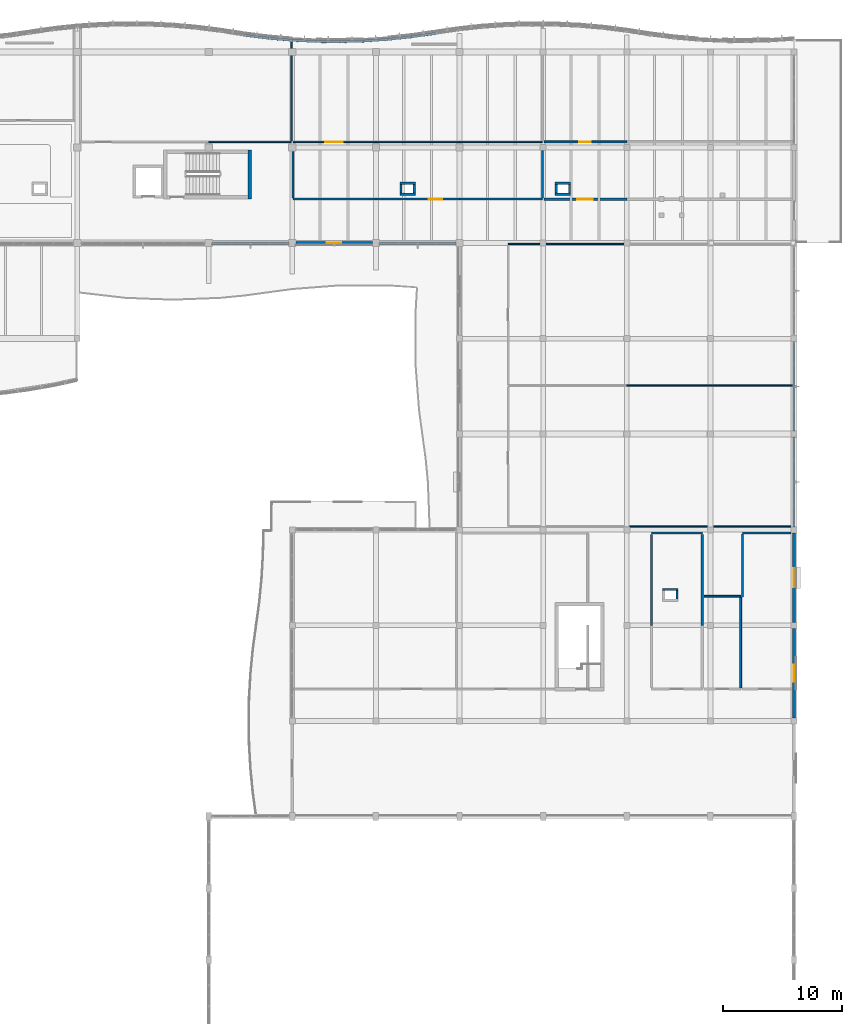
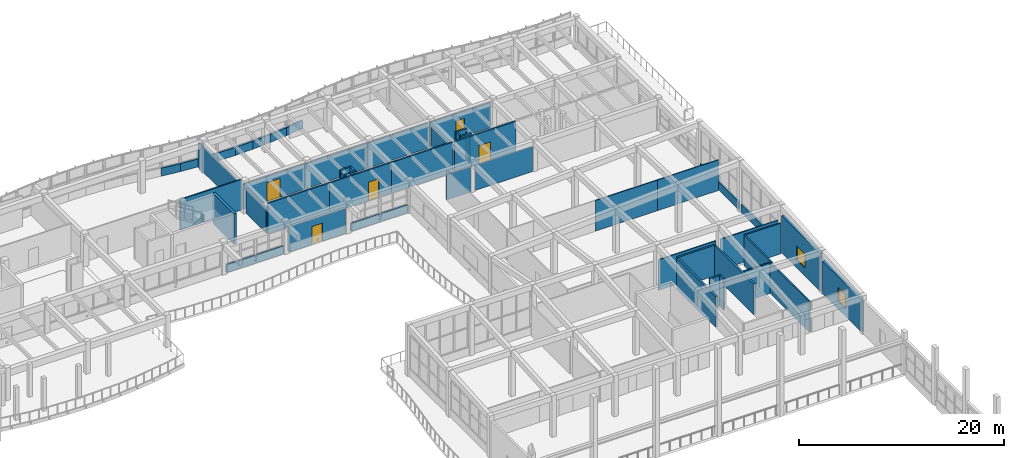
# One storey, part 64 of 89: 51 walls, 5 doors, 2 windows, 7 openings.
"""IFC4 building model written with IfcOpenShell, lengths in metres."""

from ifc_helpers import new_model, si_unit, direction, frame, frame_2d, origin, place, context, subcontext, project, spatial, rectangle, extrude, material, layer, layer_set, type_object, element, fill, save


model = new_model("IFC4")

# Units and contexts
model_context = context("Model", 3, precision=1e-05, world=origin(), true_north=direction((0.0, 1.0)))
body_context = subcontext(model_context, "Body", "Model", "MODEL_VIEW")
ifc_project = project(units=[si_unit("LENGTHUNIT", "METRE"), si_unit("AREAUNIT", "SQUARE_METRE"), si_unit("VOLUMEUNIT", "CUBIC_METRE"), si_unit("PLANEANGLEUNIT", "RADIAN"), si_unit("MASSUNIT", "GRAM", prefix="KILO")], contexts=[model_context])

# Site, building, storey
site_placement = place(None, origin())
site = spatial("IfcSite", under=ifc_project, at=site_placement, CompositionType="ELEMENT")
building_placement = place(site_placement, origin())
building = spatial("IfcBuilding", under=site, at=building_placement, Name="Tonlespit Floodbar School", CompositionType="ELEMENT")
storey_placement = place(building_placement, frame((0.0, 0.0, 4.5)))
storey = spatial("IfcBuildingStorey", under=building, at=storey_placement, Name="L01", CompositionType="ELEMENT", Elevation=4.5)

# Wall
ifc_material_1 = material(Name="Concrete C40/50", Category="concrete")
ifc_layer_1 = layer(ifc_material_1, 0.300048828125)
ifc_layer_set_1 = layer_set([ifc_layer_1], Name="Concrete C40/50")
wall_type_1 = type_object("IfcWallType", Name="CoreWall_RC_300", PredefinedType="SHEAR", material=ifc_layer_set_1)
wall_1_placement = place(storey_placement, frame((130.449951171875, 111.800048828125, 0.0), z_axis=(0.0, 0.0, 1.0), x_axis=(0.0, -1.0, 0.0)))
element("IfcWall", 1, at=wall_1_placement, inside=storey, type_object=wall_type_1, Name="L01 core C4 shear wall FAR", PredefinedType="SHEAR", context=body_context, shape_type="SweptSolid", body=[
    extrude(rectangle(XDim=4.10009765625, YDim=0.300048828125, at=frame_2d((2.050048828125, 0.0))), origin(), (0.0, 0.0, 1.0), 3.64990234375),
])

# Wall, opening, door
ifc_material_2 = material(Name="Precast concrete C40/50", Category="concrete")
ifc_layer_2 = layer(ifc_material_2, 0.239990234375)
ifc_layer_set_2 = layer_set([ifc_layer_2], Name="Precast concrete C40/50")
wall_type_2 = type_object("IfcWallType", Name="ExtWall_Rainscreen_240", PredefinedType="SOLIDWALL", material=ifc_layer_set_2)
wall_2_placement = place(storey_placement, frame((140.699951171875, 104.0, 0.0), z_axis=(0.0, 0.0, 1.0), x_axis=(-1.0, 0.0, 0.0)))
wall_2 = element("IfcWall", 2, at=wall_2_placement, inside=storey, type_object=wall_type_2, Name="L01 external wall 0586", PredefinedType="SOLIDWALL", context=body_context, shape_type="SweptSolid", body=[
    extrude(rectangle(XDim=6.39990234375, YDim=0.239990234375, at=frame_2d((3.199951171875, 0.0))), origin(), (0.0, 0.0, 1.0), 2.9951171875),
])
opening_1_placement = place(wall_2_placement, frame((2.60009765625, 0.0, 0.0)))
opening_1 = element("IfcOpeningElement", 3, at=opening_1_placement, cuts=wall_2, Name="Opening D-TR-031", PredefinedType="OPENING", context=body_context, shape_type="SweptSolid", body=[
    extrude(rectangle(XDim=1.199951171875, YDim=2.14990234375, at=frame_2d((0.60009765625, 1.074951171875))), frame((0.0, 0.1298828125, 0.0), z_axis=(0.0, -1.0, 0.0), x_axis=(1.0, 0.0, 0.0)), (0.0, 0.0, 1.0), 0.260009765625),
])
ifc_material_3 = material(Name="Anodised Aluminium", Category="aluminium")
door_type_1 = type_object("IfcDoorType", Name="ExtDoor_Terrace_1200x2150", OperationType="NOTDEFINED", PredefinedType="DOOR", material=ifc_material_3)
door_1_placement = place(opening_1_placement, origin())
door_1 = element("IfcDoor", 4, at=door_1_placement, inside=storey, type_object=door_type_1, Name="L01 exterior door D-TR-031", OperationType="SINGLE_SWING_LEFT", OverallHeight=2.14990234375, OverallWidth=1.199951171875, PredefinedType="DOOR", context=body_context, shape_type="SweptSolid", body=[
    extrude(rectangle(XDim=1.199951171875, YDim=2.14990234375, at=frame_2d((0.60009765625, 1.074951171875))), frame((0.0, 0.02490234375, 0.0), z_axis=(0.0, -1.0, 0.0), x_axis=(1.0, 0.0, 0.0)), (0.0, 0.0, 1.0), 0.050048828125),
])
fill(opening_1, door_1)

# Wall, opening, window
ifc_layer_3 = layer(ifc_material_2, 0.27490234375)
ifc_layer_set_3 = layer_set([ifc_layer_3], Name="Precast concrete C40/50")
wall_type_3 = type_object("IfcWallType", Name="ExtWall_Rainscreen_275", PredefinedType="SOLIDWALL", material=ifc_layer_set_3)
wall_3_placement = place(storey_placement, frame((176.0, 71.75, 0.0), z_axis=(0.0, 0.0, 1.0), x_axis=(0.0, -1.0, 0.0)))
wall_3 = element("IfcWall", 5, at=wall_3_placement, inside=storey, type_object=wall_type_3, Name="L01 external wall 0505", PredefinedType="SOLIDWALL", context=body_context, shape_type="SweptSolid", body=[
    extrude(rectangle(XDim=7.5, YDim=0.27490234375, at=frame_2d((3.75, 0.0))), origin(), (0.0, 0.0, 1.0), 3.87841796875),
])
opening_2_placement = place(wall_3_placement, frame((3.050048828125, 0.0, 0.949951171875)))
opening_2 = element("IfcOpeningElement", 6, at=opening_2_placement, cuts=wall_3, Name="Opening W-L01-074", PredefinedType="OPENING", context=body_context, shape_type="SweptSolid", body=[
    extrude(rectangle(XDim=1.39990234375, YDim=1.64990234375, at=frame_2d((0.699951171875, 0.824951171875))), frame((0.0, 0.1474609375, 0.0), z_axis=(0.0, -1.0, 0.0), x_axis=(1.0, 0.0, 0.0)), (0.0, 0.0, 1.0), 0.294921875),
])
ifc_material_4 = material(Name="Tempered Double Glazing", Category="glass")
window_type_1 = type_object("IfcWindowType", Name="Win_Mod_1400x1650", PartitioningType="SINGLE_PANEL", PredefinedType="WINDOW", material=ifc_material_4)
window_1_placement = place(opening_2_placement, origin())
window_1 = element("IfcWindow", 7, at=window_1_placement, inside=storey, type_object=window_type_1, Name="L01 window W-L01-074", OverallHeight=1.64990234375, OverallWidth=1.39990234375, PartitioningType="SINGLE_PANEL", PredefinedType="WINDOW", context=body_context, shape_type="SweptSolid", body=[
    extrude(rectangle(XDim=1.39990234375, YDim=1.64990234375, at=frame_2d((0.699951171875, 0.824951171875))), frame((0.0, 0.030029296875, 0.0), z_axis=(0.0, -1.0, 0.0), x_axis=(1.0, 0.0, 0.0)), (0.0, 0.0, 1.0), 0.06005859375),
])
fill(opening_2, window_1)

wall_4_placement = place(storey_placement, frame((176.0, 79.75, 0.0), z_axis=(0.0, 0.0, 1.0), x_axis=(0.0, -1.0, 0.0)))
wall_4 = element("IfcWall", 8, at=wall_4_placement, inside=storey, type_object=wall_type_3, Name="L01 external wall 0507", PredefinedType="SOLIDWALL", context=body_context, shape_type="SweptSolid", body=[
    extrude(rectangle(XDim=7.5, YDim=0.27490234375, at=frame_2d((3.75, 0.0))), origin(), (0.0, 0.0, 1.0), 4.463623046875),
])
opening_3_placement = place(wall_4_placement, frame((2.949951171875, 0.0, 0.949951171875)))
opening_3 = element("IfcOpeningElement", 9, at=opening_3_placement, cuts=wall_4, Name="Opening W-L01-075", PredefinedType="OPENING", context=body_context, shape_type="SweptSolid", body=[
    extrude(rectangle(XDim=1.60009765625, YDim=1.64990234375, at=frame_2d((0.800048828125, 0.824951171875))), frame((0.0, 0.1474609375, 0.0), z_axis=(0.0, -1.0, 0.0), x_axis=(1.0, 0.0, 0.0)), (0.0, 0.0, 1.0), 0.294921875),
])
window_type_2 = type_object("IfcWindowType", Name="Win_Mod_1600x1650", PartitioningType="DOUBLE_PANEL_VERTICAL", PredefinedType="WINDOW", material=ifc_material_4)
window_2_placement = place(opening_3_placement, origin())
window_2 = element("IfcWindow", 10, at=window_2_placement, inside=storey, type_object=window_type_2, Name="L01 window W-L01-075", OverallHeight=1.64990234375, OverallWidth=1.60009765625, PartitioningType="DOUBLE_PANEL_VERTICAL", PredefinedType="WINDOW", context=body_context, shape_type="SweptSolid", body=[
    extrude(rectangle(XDim=1.60009765625, YDim=1.64990234375, at=frame_2d((0.800048828125, 0.824951171875))), frame((0.0, 0.030029296875, 0.0), z_axis=(0.0, -1.0, 0.0), x_axis=(1.0, 0.0, 0.0)), (0.0, 0.0, 1.0), 0.06005859375),
])
fill(opening_3, window_2)

# Walls
ifc_material_5 = material(Name="White Architectural Precast concrete C40/50", Category="concrete")
ifc_layer_4 = layer(ifc_material_5, 0.18505859375)
ifc_layer_set_4 = layer_set([ifc_layer_4], Name="White Architectural Precast concrete C40/50")
wall_type_4 = type_object("IfcWallType", Name="ExtWall_Spandrel_White_185", PredefinedType="SOLIDWALL", material=ifc_layer_set_4)
for number, where, z_axis, x_axis, name in (
    (11, (176.0, 95.75, 0.0), (0.0, 0.0, 1.0), (0.0, -1.0, 0.0), "L01 spandrel wall 0591"),
    (12, (176.0, 87.75, 0.0), (0.0, 0.0, 1.0), (0.0, -1.0, 0.0), "L01 spandrel wall 0593"),
):
    element("IfcWall", number, at=place(storey_placement, frame(where, z_axis=z_axis, x_axis=x_axis)), inside=storey, type_object=wall_type_4, Name=name, PredefinedType="SOLIDWALL", context=body_context, shape_type="SweptSolid", body=[
        extrude(rectangle(XDim=7.5, YDim=0.18505859375, at=frame_2d((3.75, 0.0))), origin(), (0.0, 0.0, 1.0), 0.949951171875),
    ])
ifc_layer_5 = layer(ifc_material_5, 0.199951171875)
ifc_layer_set_5 = layer_set([ifc_layer_5], Name="White Architectural Precast concrete C40/50")
wall_type_5 = type_object("IfcWallType", Name="ExtWall_Spandrel_White_200", PredefinedType="SOLIDWALL", material=ifc_layer_set_5)
wall_5_placement = place(storey_placement, frame((130.0, 121.394287109375, 0.0), z_axis=(0.0, 0.0, 1.0), x_axis=(0.992158168336, -0.124988675503, 0.0)))
element("IfcWall", 13, at=wall_5_placement, inside=storey, type_object=wall_type_5, Name="L01 spandrel wall 0560", PredefinedType="SOLIDWALL", context=body_context, shape_type="SweptSolid", body=[
    extrude(rectangle(XDim=2.015869140625, YDim=0.199951171875, at=frame_2d((1.0078125, 0.0))), origin(), (0.0, 0.0, 1.0), 0.949951171875),
])
wall_6_placement = place(storey_placement, frame((132.0, 121.142333984375, 0.0), z_axis=(0.0, 0.0, 1.0), x_axis=(0.996244237948, -0.086587633962, 0.0)))
element("IfcWall", 14, at=wall_6_placement, inside=storey, type_object=wall_type_5, Name="L01 spandrel wall 0561", PredefinedType="SOLIDWALL", context=body_context, shape_type="SweptSolid", body=[
    extrude(rectangle(XDim=2.007568359375, YDim=0.199951171875, at=frame_2d((1.00390625, 0.0))), origin(), (0.0, 0.0, 1.0), 0.949951171875),
])
wall_7_placement = place(storey_placement, frame((134.0, 120.968505859375, 0.0), z_axis=(0.0, 0.0, 1.0), x_axis=(0.99884540439, -0.048040172037, 0.0)))
element("IfcWall", 15, at=wall_7_placement, inside=storey, type_object=wall_type_5, Name="L01 spandrel wall 0562", PredefinedType="SOLIDWALL", context=body_context, shape_type="SweptSolid", body=[
    extrude(rectangle(XDim=2.002197265625, YDim=0.199951171875, at=frame_2d((1.0009765625, 0.0))), origin(), (0.0, 0.0, 1.0), 0.949951171875),
])
wall_8_placement = place(storey_placement, frame((136.0, 120.872314453125, 0.0), z_axis=(0.0, 0.0, 1.0), x_axis=(0.999953504169, -0.009643106302, 0.0)))
element("IfcWall", 16, at=wall_8_placement, inside=storey, type_object=wall_type_5, Name="L01 spandrel wall 0563", PredefinedType="SOLIDWALL", context=body_context, shape_type="SweptSolid", body=[
    extrude(rectangle(XDim=2.0, YDim=0.199951171875, at=frame_2d((1.0, 0.0))), origin(), (0.0, 0.0, 1.0), 0.949951171875),
])
wall_9_placement = place(storey_placement, frame((138.0, 120.85302734375, 0.0), z_axis=(0.0, 0.0, 1.0), x_axis=(0.999585290582, 0.028796646555, 0.0)))
element("IfcWall", 17, at=wall_9_placement, inside=storey, type_object=wall_type_5, Name="L01 spandrel wall 0564", PredefinedType="SOLIDWALL", context=body_context, shape_type="SweptSolid", body=[
    extrude(rectangle(XDim=2.000732421875, YDim=0.199951171875, at=frame_2d((1.00048828125, 0.0))), origin(), (0.0, 0.0, 1.0), 0.949951171875),
])
wall_10_placement = place(storey_placement, frame((140.0, 120.91064453125, 0.0), z_axis=(0.0, 0.0, 1.0), x_axis=(0.997729302978, 0.067351599676, 0.0)))
element("IfcWall", 18, at=wall_10_placement, inside=storey, type_object=wall_type_5, Name="L01 spandrel wall 0565", PredefinedType="SOLIDWALL", context=body_context, shape_type="SweptSolid", body=[
    extrude(rectangle(XDim=2.004638671875, YDim=0.199951171875, at=frame_2d((1.00244140625, 0.0))), origin(), (0.0, 0.0, 1.0), 0.949951171875),
])
wall_11_placement = place(storey_placement, frame((142.0, 121.045654296875, 0.0), z_axis=(0.0, 0.0, 1.0), x_axis=(0.994395160059, 0.105727317433, 0.0)))
element("IfcWall", 19, at=wall_11_placement, inside=storey, type_object=wall_type_5, Name="L01 spandrel wall 0566", PredefinedType="SOLIDWALL", context=body_context, shape_type="SweptSolid", body=[
    extrude(rectangle(XDim=2.01123046875, YDim=0.199951171875, at=frame_2d((1.005615234375, 0.0))), origin(), (0.0, 0.0, 1.0), 0.949951171875),
])
wall_12_placement = place(storey_placement, frame((144.0, 121.25830078125, 0.0), z_axis=(0.0, 0.0, 1.0), x_axis=(0.989527230727, 0.144346318447, 0.0)))
element("IfcWall", 20, at=wall_12_placement, inside=storey, type_object=wall_type_5, Name="L01 spandrel wall 0567", PredefinedType="SOLIDWALL", context=body_context, shape_type="SweptSolid", body=[
    extrude(rectangle(XDim=2.021240234375, YDim=0.199951171875, at=frame_2d((1.0107421875, 0.0))), origin(), (0.0, 0.0, 1.0), 0.949951171875),
])
for number, where, z_axis, x_axis, name in (
    (21, (147.699951171875, 104.0, 0.0), (0.0, 0.0, 1.0), (-1.0, 0.0, 0.0), "L01 spandrel wall 0585"),
    (22, (133.699951171875, 104.0, 0.0), (0.0, 0.0, 1.0), (-1.0, 0.0, 0.0), "L01 spandrel wall 0587"),
):
    element("IfcWall", number, at=place(storey_placement, frame(where, z_axis=z_axis, x_axis=x_axis)), inside=storey, type_object=wall_type_5, Name=name, PredefinedType="SOLIDWALL", context=body_context, shape_type="SweptSolid", body=[
        extrude(rectangle(XDim=6.39990234375, YDim=0.199951171875, at=frame_2d((3.199951171875, 0.0))), origin(), (0.0, 0.0, 1.0), 0.949951171875),
    ])
ifc_layer_6 = layer(ifc_material_1, 0.199951171875)
ifc_layer_set_6 = layer_set([ifc_layer_6], Name="Concrete C40/50")
wall_type_6 = type_object("IfcWallType", Name="FireWall_Plant_200", PredefinedType="PARTITIONING", material=ifc_layer_set_6)
for number, where, z_axis, x_axis, name in (
    (23, (144.300048828125, 108.10009765625, 0.0), (0.0, 0.0, 1.0), (-1.0, 0.0, 0.0), "L01 service riser 05 wall S"),
    (24, (143.0, 109.0, 0.0), (0.0, 0.0, 1.0), (1.0, 0.0, 0.0), "L01 service riser 05 wall N"),
):
    element("IfcWall", number, at=place(storey_placement, frame(where, z_axis=z_axis, x_axis=x_axis)), inside=storey, type_object=wall_type_6, Name=name, PredefinedType="PARTITIONING", context=body_context, shape_type="SweptSolid", body=[
        extrude(rectangle(XDim=1.300048828125, YDim=0.199951171875, at=frame_2d((0.64990234375, 0.0))), origin(), (0.0, 0.0, 1.0), 3.64990234375),
    ])
wall_13_placement = place(storey_placement, frame((143.10009765625, 108.199951171875, 0.0), z_axis=(0.0, 0.0, 1.0), x_axis=(0.0, 1.0, 0.0)))
element("IfcWall", 25, at=wall_13_placement, inside=storey, type_object=wall_type_6, Name="L01 service riser 05 wall W", PredefinedType="PARTITIONING", context=body_context, shape_type="SweptSolid", body=[
    extrude(rectangle(XDim=0.699951171875, YDim=0.199951171875, at=frame_2d((0.35009765625, 0.0))), origin(), (0.0, 0.0, 1.0), 3.2451171875),
])
wall_14_placement = place(storey_placement, frame((144.199951171875, 108.89990234375, 0.0), z_axis=(0.0, 0.0, 1.0), x_axis=(0.0, -1.0, 0.0)))
element("IfcWall", 26, at=wall_14_placement, inside=storey, type_object=wall_type_6, Name="L01 service riser 05 wall E", PredefinedType="PARTITIONING", context=body_context, shape_type="SweptSolid", body=[
    extrude(rectangle(XDim=0.699951171875, YDim=0.199951171875, at=frame_2d((0.35009765625, 0.0))), origin(), (0.0, 0.0, 1.0), 3.64990234375),
])
for number, where, z_axis, x_axis, name in (
    (27, (157.300048828125, 108.10009765625, 0.0), (0.0, 0.0, 1.0), (-1.0, 0.0, 0.0), "L01 service riser 07 wall S"),
    (28, (156.0, 109.0, 0.0), (0.0, 0.0, 1.0), (1.0, 0.0, 0.0), "L01 service riser 07 wall N"),
):
    element("IfcWall", number, at=place(storey_placement, frame(where, z_axis=z_axis, x_axis=x_axis)), inside=storey, type_object=wall_type_6, Name=name, PredefinedType="PARTITIONING", context=body_context, shape_type="SweptSolid", body=[
        extrude(rectangle(XDim=1.300048828125, YDim=0.199951171875, at=frame_2d((0.64990234375, 0.0))), origin(), (0.0, 0.0, 1.0), 3.64990234375),
    ])
wall_15_placement = place(storey_placement, frame((156.10009765625, 108.199951171875, 0.0), z_axis=(0.0, 0.0, 1.0), x_axis=(0.0, 1.0, 0.0)))
element("IfcWall", 29, at=wall_15_placement, inside=storey, type_object=wall_type_6, Name="L01 service riser 07 wall W", PredefinedType="PARTITIONING", context=body_context, shape_type="SweptSolid", body=[
    extrude(rectangle(XDim=0.699951171875, YDim=0.199951171875, at=frame_2d((0.35009765625, 0.0))), origin(), (0.0, 0.0, 1.0), 3.64990234375),
])
wall_16_placement = place(storey_placement, frame((157.199951171875, 108.89990234375, 0.0), z_axis=(0.0, 0.0, 1.0), x_axis=(0.0, -1.0, 0.0)))
element("IfcWall", 30, at=wall_16_placement, inside=storey, type_object=wall_type_6, Name="L01 service riser 07 wall E", PredefinedType="PARTITIONING", context=body_context, shape_type="SweptSolid", body=[
    extrude(rectangle(XDim=0.699951171875, YDim=0.199951171875, at=frame_2d((0.35009765625, 0.0))), origin(), (0.0, 0.0, 1.0), 3.2451171875),
])
wall_17_placement = place(storey_placement, frame((165.0, 75.0, 0.0), z_axis=(0.0, 0.0, 1.0), x_axis=(1.0, 0.0, 0.0)))
element("IfcWall", 31, at=wall_17_placement, inside=storey, type_object=wall_type_6, Name="L01 service riser 08 wall N", PredefinedType="PARTITIONING", context=body_context, shape_type="SweptSolid", body=[
    extrude(rectangle(XDim=1.300048828125, YDim=0.199951171875, at=frame_2d((0.64990234375, 0.0))), origin(), (0.0, 0.0, 1.0), 3.64990234375),
])
wall_18_placement = place(storey_placement, frame((166.199951171875, 74.89990234375, 0.0), z_axis=(0.0, 0.0, 1.0), x_axis=(0.0, -1.0, 0.0)))
element("IfcWall", 32, at=wall_18_placement, inside=storey, type_object=wall_type_6, Name="L01 service riser 08 wall E", PredefinedType="PARTITIONING", context=body_context, shape_type="SweptSolid", body=[
    extrude(rectangle(XDim=0.699951171875, YDim=0.199951171875, at=frame_2d((0.35009765625, 0.0))), origin(), (0.0, 0.0, 1.0), 3.64990234375),
])
wall_19_placement = place(storey_placement, frame((164.070068359375, 79.72998046875, 0.0), z_axis=(0.0, 0.0, 1.0), x_axis=(1.0, 0.0, 0.0)))
element("IfcWall", 33, at=wall_19_placement, inside=storey, type_object=wall_type_6, Name="L01 partition wall 0309", PredefinedType="PARTITIONING", context=body_context, shape_type="SweptSolid", body=[
    extrude(rectangle(XDim=4.260009765625, YDim=0.199951171875, at=frame_2d((2.1298828125, 0.0))), origin(), (0.0, 0.0, 1.0), 3.64990234375),
])
for number, where, z_axis, x_axis, name in (
    (34, (164.070068359375, 72.0, 0.0), (0.0, 0.0, 1.0), (0.0, 1.0, 0.0), "L01 partition wall 0311"),
    (35, (168.330078125, 72.0, 0.0), (0.0, 0.0, 1.0), (0.0, 1.0, 0.0), "L01 partition wall 0313"),
):
    element("IfcWall", number, at=place(storey_placement, frame(where, z_axis=z_axis, x_axis=x_axis)), inside=storey, type_object=wall_type_6, Name=name, PredefinedType="PARTITIONING", context=body_context, shape_type="SweptSolid", body=[
        extrude(rectangle(XDim=7.614990234375, YDim=0.199951171875, at=frame_2d((3.8076171875, 0.0))), origin(), (0.0, 0.0, 1.0), 3.64990234375),
    ])
ifc_material_6 = material(Name="Gypsum Plasterboard Partition")
ifc_layer_7 = layer(ifc_material_6, 0.10009765625)
ifc_layer_set_7 = layer_set([ifc_layer_7], Name="Gypsum Plasterboard Partition")
wall_type_7 = type_object("IfcWallType", Name="Partition_Gyp_100", PredefinedType="PARTITIONING", material=ifc_layer_set_7)
wall_20_placement = place(storey_placement, frame((162.0, 92.070068359375, 0.0), z_axis=(0.0, 0.0, 1.0), x_axis=(1.0, 0.0, 0.0)))
element("IfcWall", 36, at=wall_20_placement, inside=storey, type_object=wall_type_7, Name="L01 partition wall 0378", PredefinedType="PARTITIONING", context=body_context, shape_type="SweptSolid", body=[
    extrude(rectangle(XDim=7.0, YDim=0.10009765625, at=frame_2d((3.5, 0.0))), origin(), (0.0, 0.0, 1.0), 3.64990234375),
])
wall_21_placement = place(storey_placement, frame((169.0, 92.070068359375, 0.0), z_axis=(0.0, 0.0, 1.0), x_axis=(1.0, 0.0, 0.0)))
element("IfcWall", 37, at=wall_21_placement, inside=storey, type_object=wall_type_7, Name="L01 partition wall 0379", PredefinedType="PARTITIONING", context=body_context, shape_type="SweptSolid", body=[
    extrude(rectangle(XDim=6.865478515625, YDim=0.10009765625, at=frame_2d((3.4326171875, 0.0))), origin(), (0.0, 0.0, 1.0), 3.64990234375),
])
wall_22_placement = place(storey_placement, frame((152.070068359375, 103.929931640625, 0.0), z_axis=(0.0, 0.0, 1.0), x_axis=(1.0, 0.0, 0.0)))
element("IfcWall", 38, at=wall_22_placement, inside=storey, type_object=wall_type_7, Name="L01 partition wall 0380", PredefinedType="PARTITIONING", context=body_context, shape_type="SweptSolid", body=[
    extrude(rectangle(XDim=2.6650390625, YDim=0.10009765625, at=frame_2d((1.33251953125, 0.0))), origin(), (0.0, 0.0, 1.0), 2.9951171875),
])
wall_23_placement = place(storey_placement, frame((155.264892578125, 103.929931640625, 0.0), z_axis=(0.0, 0.0, 1.0), x_axis=(1.0, 0.0, 0.0)))
element("IfcWall", 39, at=wall_23_placement, inside=storey, type_object=wall_type_7, Name="L01 partition wall 0381", PredefinedType="PARTITIONING", context=body_context, shape_type="SweptSolid", body=[
    extrude(rectangle(XDim=6.47021484375, YDim=0.10009765625, at=frame_2d((3.235107421875, 0.0))), origin(), (0.0, 0.0, 1.0), 2.9951171875),
])
ifc_layer_8 = layer(ifc_material_6, 0.110107421875)
ifc_layer_set_8 = layer_set([ifc_layer_8], Name="Gypsum Plasterboard Partition")
wall_type_8 = type_object("IfcWallType", Name="Partition_Gyp_110", PredefinedType="PARTITIONING", material=ifc_layer_set_8)
for number, where, z_axis, x_axis, name in (
    (40, (162.264892578125, 80.27001953125, 0.0), (0.0, 0.0, 1.0), (1.0, 0.0, 0.0), "L01 partition wall 0387"),
    (41, (169.264892578125, 80.27001953125, 0.0), (0.0, 0.0, 1.0), (1.0, 0.0, 0.0), "L01 partition wall 0388"),
):
    element("IfcWall", number, at=place(storey_placement, frame(where, z_axis=z_axis, x_axis=x_axis)), inside=storey, type_object=wall_type_8, Name=name, PredefinedType="PARTITIONING", context=body_context, shape_type="SweptSolid", body=[
        extrude(rectangle(XDim=6.47021484375, YDim=0.110107421875, at=frame_2d((3.235107421875, 0.0))), origin(), (0.0, 0.0, 1.0), 3.64990234375),
    ])
ifc_layer_9 = layer(ifc_material_6, 0.1298828125)
ifc_layer_set_9 = layer_set([ifc_layer_9], Name="Gypsum Plasterboard Partition")
wall_type_9 = type_object("IfcWallType", Name="Partition_Gyp_130", PredefinedType="PARTITIONING", material=ifc_layer_set_9)
wall_24_placement = place(storey_placement, frame((127.0, 112.469970703125, 0.0), z_axis=(0.0, 0.0, 1.0), x_axis=(1.0, 0.0, 0.0)))
element("IfcWall", 42, at=wall_24_placement, inside=storey, type_object=wall_type_9, Name="L01 partition wall 0357", PredefinedType="PARTITIONING", context=body_context, shape_type="SweptSolid", body=[
    extrude(rectangle(XDim=6.929931640625, YDim=0.1298828125, at=frame_2d((3.46484375, 0.0))), origin(), (0.0, 0.0, 1.0), 3.64990234375),
])
wall_25_placement = place(storey_placement, frame((133.929931640625, 112.550048828125, 0.0), z_axis=(0.0, 0.0, 1.0), x_axis=(0.0, 1.0, 0.0)))
element("IfcWall", 43, at=wall_25_placement, inside=storey, type_object=wall_type_9, Name="L01 partition wall 0359", PredefinedType="PARTITIONING", context=body_context, shape_type="SweptSolid", body=[
    extrude(rectangle(XDim=8.27978515625, YDim=0.1298828125, at=frame_2d((4.139892578125, 0.0))), origin(), (0.0, 0.0, 1.0), 2.9951171875),
])

# Wall, opening, door
ifc_layer_10 = layer(ifc_material_6, 0.139892578125)
ifc_layer_set_10 = layer_set([ifc_layer_10], Name="Gypsum Plasterboard Partition")
wall_type_10 = type_object("IfcWallType", Name="Partition_Gyp_140", PredefinedType="PARTITIONING", material=ifc_layer_set_10)
wall_26_placement = place(storey_placement, frame((134.070068359375, 112.469970703125, 0.0), z_axis=(0.0, 0.0, 1.0), x_axis=(1.0, 0.0, 0.0)))
wall_26 = element("IfcWall", 44, at=wall_26_placement, inside=storey, type_object=wall_type_10, Name="L01 partition wall 0360", PredefinedType="PARTITIONING", context=body_context, shape_type="SweptSolid", body=[
    extrude(rectangle(XDim=6.929931640625, YDim=0.139892578125, at=frame_2d((3.46484375, 0.0))), origin(), (0.0, 0.0, 1.0), 2.9951171875),
])
opening_4_placement = place(wall_26_placement, frame((2.68994140625, 0.0, 0.0)))
opening_4 = element("IfcOpeningElement", 45, at=opening_4_placement, cuts=wall_26, Name="Opening D-L01-100", PredefinedType="OPENING", context=body_context, shape_type="SweptSolid", body=[
    extrude(rectangle(XDim=1.47998046875, YDim=2.25, at=frame_2d((0.739990234375, 1.125))), frame((0.0, 0.079833984375, 0.0), z_axis=(0.0, -1.0, 0.0), x_axis=(1.0, 0.0, 0.0)), (0.0, 0.0, 1.0), 0.159912109375),
])
ifc_material_7 = material(Name="Hardwood Timber", Category="wood")
door_type_2 = type_object("IfcDoorType", Name="IntDoor_1480x2250", OperationType="NOTDEFINED", PredefinedType="DOOR", material=ifc_material_7)
door_2_placement = place(opening_4_placement, origin())
door_2 = element("IfcDoor", 46, at=door_2_placement, inside=storey, type_object=door_type_2, Name="L01 interior door D-L01-100", OperationType="SINGLE_SWING_LEFT", OverallHeight=2.25, OverallWidth=1.47998046875, PredefinedType="DOOR", context=body_context, shape_type="SweptSolid", body=[
    extrude(rectangle(XDim=1.47998046875, YDim=2.25, at=frame_2d((0.739990234375, 1.125))), frame((0.0, 0.02490234375, 0.0), z_axis=(0.0, -1.0, 0.0), x_axis=(1.0, 0.0, 0.0)), (0.0, 0.0, 1.0), 0.050048828125),
])
fill(opening_4, door_2)

# Walls
wall_27_placement = place(storey_placement, frame((141.0, 112.469970703125, 0.0), z_axis=(0.0, 0.0, 1.0), x_axis=(1.0, 0.0, 0.0)))
element("IfcWall", 47, at=wall_27_placement, inside=storey, type_object=wall_type_10, Name="L01 partition wall 0361", PredefinedType="PARTITIONING", context=body_context, shape_type="SweptSolid", body=[
    extrude(rectangle(XDim=7.0, YDim=0.139892578125, at=frame_2d((3.5, 0.0))), origin(), (0.0, 0.0, 1.0), 2.9951171875),
])
wall_28_placement = place(storey_placement, frame((148.0, 112.469970703125, 0.0), z_axis=(0.0, 0.0, 1.0), x_axis=(1.0, 0.0, 0.0)))
element("IfcWall", 48, at=wall_28_placement, inside=storey, type_object=wall_type_10, Name="L01 partition wall 0362", PredefinedType="PARTITIONING", context=body_context, shape_type="SweptSolid", body=[
    extrude(rectangle(XDim=6.929931640625, YDim=0.139892578125, at=frame_2d((3.46484375, 0.0))), origin(), (0.0, 0.0, 1.0), 2.9951171875),
])
ifc_layer_11 = layer(ifc_material_6, 0.14990234375)
ifc_layer_set_11 = layer_set([ifc_layer_11], Name="Gypsum Plasterboard Partition")
wall_type_11 = type_object("IfcWallType", Name="Partition_Gyp_150", PredefinedType="PARTITIONING", material=ifc_layer_set_11)
wall_29_placement = place(storey_placement, frame((168.469970703125, 74.429931640625, 0.0), z_axis=(0.0, 0.0, 1.0), x_axis=(1.0, 0.0, 0.0)))
element("IfcWall", 49, at=wall_29_placement, inside=storey, type_object=wall_type_11, Name="L01 partition wall 0315", PredefinedType="PARTITIONING", context=body_context, shape_type="SweptSolid", body=[
    extrude(rectangle(XDim=3.06005859375, YDim=0.14990234375, at=frame_2d((1.530029296875, 0.0))), origin(), (0.0, 0.0, 1.0), 3.64990234375),
])
wall_30_placement = place(storey_placement, frame((171.530029296875, 66.760009765625, 0.0), z_axis=(0.0, 0.0, 1.0), x_axis=(0.0, 1.0, 0.0)))
element("IfcWall", 50, at=wall_30_placement, inside=storey, type_object=wall_type_11, Name="L01 partition wall 0316", PredefinedType="PARTITIONING", context=body_context, shape_type="SweptSolid", body=[
    extrude(rectangle(XDim=7.580078125, YDim=0.14990234375, at=frame_2d((3.7900390625, 0.0))), origin(), (0.0, 0.0, 1.0), 3.64990234375),
])

# Wall, opening, door
wall_31_placement = place(storey_placement, frame((155.070068359375, 112.469970703125, 0.0), z_axis=(0.0, 0.0, 1.0), x_axis=(1.0, 0.0, 0.0)))
wall_31 = element("IfcWall", 51, at=wall_31_placement, inside=storey, type_object=wall_type_11, Name="L01 partition wall 0365", PredefinedType="PARTITIONING", context=body_context, shape_type="SweptSolid", body=[
    extrude(rectangle(XDim=6.929931640625, YDim=0.14990234375, at=frame_2d((3.46484375, 0.0))), origin(), (0.0, 0.0, 1.0), 2.9951171875),
])
opening_5_placement = place(wall_31_placement, frame((2.949951171875, 0.0, 0.0)))
opening_5 = element("IfcOpeningElement", 52, at=opening_5_placement, cuts=wall_31, Name="Opening D-L01-101", PredefinedType="OPENING", context=body_context, shape_type="SweptSolid", body=[
    extrude(rectangle(XDim=0.9599609375, YDim=2.14990234375, at=frame_2d((0.47998046875, 1.074951171875))), frame((0.0, 0.0849609375, 0.0), z_axis=(0.0, -1.0, 0.0), x_axis=(1.0, 0.0, 0.0)), (0.0, 0.0, 1.0), 0.169921875),
])
door_type_3 = type_object("IfcDoorType", Name="IntDoor_960x2150", OperationType="NOTDEFINED", PredefinedType="DOOR", material=ifc_material_7)
door_3_placement = place(opening_5_placement, origin())
door_3 = element("IfcDoor", 53, at=door_3_placement, inside=storey, type_object=door_type_3, Name="L01 interior door D-L01-101", OperationType="SINGLE_SWING_RIGHT", OverallHeight=2.14990234375, OverallWidth=0.9599609375, PredefinedType="DOOR", context=body_context, shape_type="SweptSolid", body=[
    extrude(rectangle(XDim=0.9599609375, YDim=2.14990234375, at=frame_2d((0.47998046875, 1.074951171875))), frame((0.0, 0.02490234375, 0.0), z_axis=(0.0, -1.0, 0.0), x_axis=(1.0, 0.0, 0.0)), (0.0, 0.0, 1.0), 0.050048828125),
])
fill(opening_5, door_3)

# Walls
ifc_layer_12 = layer(ifc_material_6, 0.169921875)
ifc_layer_set_12 = layer_set([ifc_layer_12], Name="Gypsum Plasterboard Partition")
wall_type_12 = type_object("IfcWallType", Name="Partition_Gyp_170", PredefinedType="PARTITIONING", material=ifc_layer_set_12)
wall_32_placement = place(storey_placement, frame((171.669921875, 79.72998046875, 0.0), z_axis=(0.0, 0.0, 1.0), x_axis=(1.0, 0.0, 0.0)))
element("IfcWall", 54, at=wall_32_placement, inside=storey, type_object=wall_type_12, Name="L01 partition wall 0318", PredefinedType="PARTITIONING", context=body_context, shape_type="SweptSolid", body=[
    extrude(rectangle(XDim=4.065185546875, YDim=0.169921875, at=frame_2d((2.03271484375, 0.0))), origin(), (0.0, 0.0, 1.0), 3.64990234375),
])
wall_33_placement = place(storey_placement, frame((171.669921875, 74.360107421875, 0.0), z_axis=(0.0, 0.0, 1.0), x_axis=(0.0, 1.0, 0.0)))
element("IfcWall", 55, at=wall_33_placement, inside=storey, type_object=wall_type_12, Name="L01 partition wall 0319", PredefinedType="PARTITIONING", context=body_context, shape_type="SweptSolid", body=[
    extrude(rectangle(XDim=5.269775390625, YDim=0.169921875, at=frame_2d((2.634765625, 0.0))), origin(), (0.0, 0.0, 1.0), 3.64990234375),
])
wall_34_placement = place(storey_placement, frame((134.070068359375, 107.669921875, 0.0), z_axis=(0.0, 0.0, 1.0), x_axis=(1.0, 0.0, 0.0)))
element("IfcWall", 56, at=wall_34_placement, inside=storey, type_object=wall_type_12, Name="L01 partition wall 0368", PredefinedType="PARTITIONING", context=body_context, shape_type="SweptSolid", body=[
    extrude(rectangle(XDim=6.929931640625, YDim=0.169921875, at=frame_2d((3.46484375, 0.0))), origin(), (0.0, 0.0, 1.0), 3.64990234375),
])

# Wall, opening, door
wall_35_placement = place(storey_placement, frame((141.0, 107.669921875, 0.0), z_axis=(0.0, 0.0, 1.0), x_axis=(1.0, 0.0, 0.0)))
wall_35 = element("IfcWall", 57, at=wall_35_placement, inside=storey, type_object=wall_type_12, Name="L01 partition wall 0369", PredefinedType="PARTITIONING", context=body_context, shape_type="SweptSolid", body=[
    extrude(rectangle(XDim=7.0, YDim=0.169921875, at=frame_2d((3.5, 0.0))), origin(), (0.0, 0.0, 1.0), 3.64990234375),
])
opening_6_placement = place(wall_35_placement, frame((4.429931640625, 0.0, 0.0)))
opening_6 = element("IfcOpeningElement", 58, at=opening_6_placement, cuts=wall_35, Name="Opening D-L01-102", PredefinedType="OPENING", context=body_context, shape_type="SweptSolid", body=[
    extrude(rectangle(XDim=1.139892578125, YDim=2.199951171875, at=frame_2d((0.56982421875, 1.10009765625))), frame((0.0, 0.094970703125, 0.0), z_axis=(0.0, -1.0, 0.0), x_axis=(1.0, 0.0, 0.0)), (0.0, 0.0, 1.0), 0.18994140625),
])
door_type_4 = type_object("IfcDoorType", Name="IntDoor_1140x2200", OperationType="NOTDEFINED", PredefinedType="DOOR", material=ifc_material_7)
door_4_placement = place(opening_6_placement, origin())
door_4 = element("IfcDoor", 59, at=door_4_placement, inside=storey, type_object=door_type_4, Name="L01 interior door D-L01-102", OperationType="SINGLE_SWING_LEFT", OverallHeight=2.199951171875, OverallWidth=1.139892578125, PredefinedType="DOOR", context=body_context, shape_type="SweptSolid", body=[
    extrude(rectangle(XDim=1.139892578125, YDim=2.199951171875, at=frame_2d((0.56982421875, 1.10009765625))), frame((0.0, 0.02490234375, 0.0), z_axis=(0.0, -1.0, 0.0), x_axis=(1.0, 0.0, 0.0)), (0.0, 0.0, 1.0), 0.050048828125),
])
fill(opening_6, door_4)

# Walls
wall_36_placement = place(storey_placement, frame((148.0, 107.669921875, 0.0), z_axis=(0.0, 0.0, 1.0), x_axis=(1.0, 0.0, 0.0)))
element("IfcWall", 60, at=wall_36_placement, inside=storey, type_object=wall_type_12, Name="L01 partition wall 0370", PredefinedType="PARTITIONING", context=body_context, shape_type="SweptSolid", body=[
    extrude(rectangle(XDim=6.929931640625, YDim=0.169921875, at=frame_2d((3.46484375, 0.0))), origin(), (0.0, 0.0, 1.0), 3.64990234375),
])
wall_37_placement = place(storey_placement, frame((134.070068359375, 107.77001953125, 0.0), z_axis=(0.0, 0.0, 1.0), x_axis=(0.0, 1.0, 0.0)))
element("IfcWall", 61, at=wall_37_placement, inside=storey, type_object=wall_type_12, Name="L01 partition wall 0371", PredefinedType="PARTITIONING", context=body_context, shape_type="SweptSolid", body=[
    extrude(rectangle(XDim=3.9150390625, YDim=0.169921875, at=frame_2d((1.95751953125, 0.0))), origin(), (0.0, 0.0, 1.0), 2.9951171875),
])
wall_38_placement = place(storey_placement, frame((154.929931640625, 107.77001953125, 0.0), z_axis=(0.0, 0.0, 1.0), x_axis=(0.0, 1.0, 0.0)))
element("IfcWall", 62, at=wall_38_placement, inside=storey, type_object=wall_type_12, Name="L01 partition wall 0372", PredefinedType="PARTITIONING", context=body_context, shape_type="SweptSolid", body=[
    extrude(rectangle(XDim=3.965087890625, YDim=0.169921875, at=frame_2d((1.982421875, 0.0))), origin(), (0.0, 0.0, 1.0), 2.9951171875),
])

# Wall, opening, door
ifc_layer_13 = layer(ifc_material_6, 0.18505859375)
ifc_layer_set_13 = layer_set([ifc_layer_13], Name="Gypsum Plasterboard Partition")
wall_type_13 = type_object("IfcWallType", Name="Partition_Gyp_185", PredefinedType="PARTITIONING", material=ifc_layer_set_13)
wall_39_placement = place(storey_placement, frame((155.070068359375, 107.669921875, 0.0), z_axis=(0.0, 0.0, 1.0), x_axis=(1.0, 0.0, 0.0)))
wall_39 = element("IfcWall", 63, at=wall_39_placement, inside=storey, type_object=wall_type_13, Name="L01 partition wall 0373", PredefinedType="PARTITIONING", context=body_context, shape_type="SweptSolid", body=[
    extrude(rectangle(XDim=6.929931640625, YDim=0.18505859375, at=frame_2d((3.46484375, 0.0))), origin(), (0.0, 0.0, 1.0), 3.64990234375),
])
opening_7_placement = place(wall_39_placement, frame((2.77001953125, 0.0, 0.0)))
opening_7 = element("IfcOpeningElement", 64, at=opening_7_placement, cuts=wall_39, Name="Opening D-L01-103", PredefinedType="OPENING", context=body_context, shape_type="SweptSolid", body=[
    extrude(rectangle(XDim=1.320068359375, YDim=2.199951171875, at=frame_2d((0.66015625, 1.10009765625))), frame((0.0, 0.1025390625, 0.0), z_axis=(0.0, -1.0, 0.0), x_axis=(1.0, 0.0, 0.0)), (0.0, 0.0, 1.0), 0.205078125),
])
door_type_5 = type_object("IfcDoorType", Name="IntDoor_1320x2200", OperationType="NOTDEFINED", PredefinedType="DOOR", material=ifc_material_7)
door_5_placement = place(opening_7_placement, origin())
door_5 = element("IfcDoor", 65, at=door_5_placement, inside=storey, type_object=door_type_5, Name="L01 interior door D-L01-103", OperationType="SINGLE_SWING_RIGHT", OverallHeight=2.199951171875, OverallWidth=1.320068359375, PredefinedType="DOOR", context=body_context, shape_type="SweptSolid", body=[
    extrude(rectangle(XDim=1.320068359375, YDim=2.199951171875, at=frame_2d((0.66015625, 1.10009765625))), frame((0.0, 0.02490234375, 0.0), z_axis=(0.0, -1.0, 0.0), x_axis=(1.0, 0.0, 0.0)), (0.0, 0.0, 1.0), 0.050048828125),
])
fill(opening_7, door_5)

save(model, "model.ifc")
